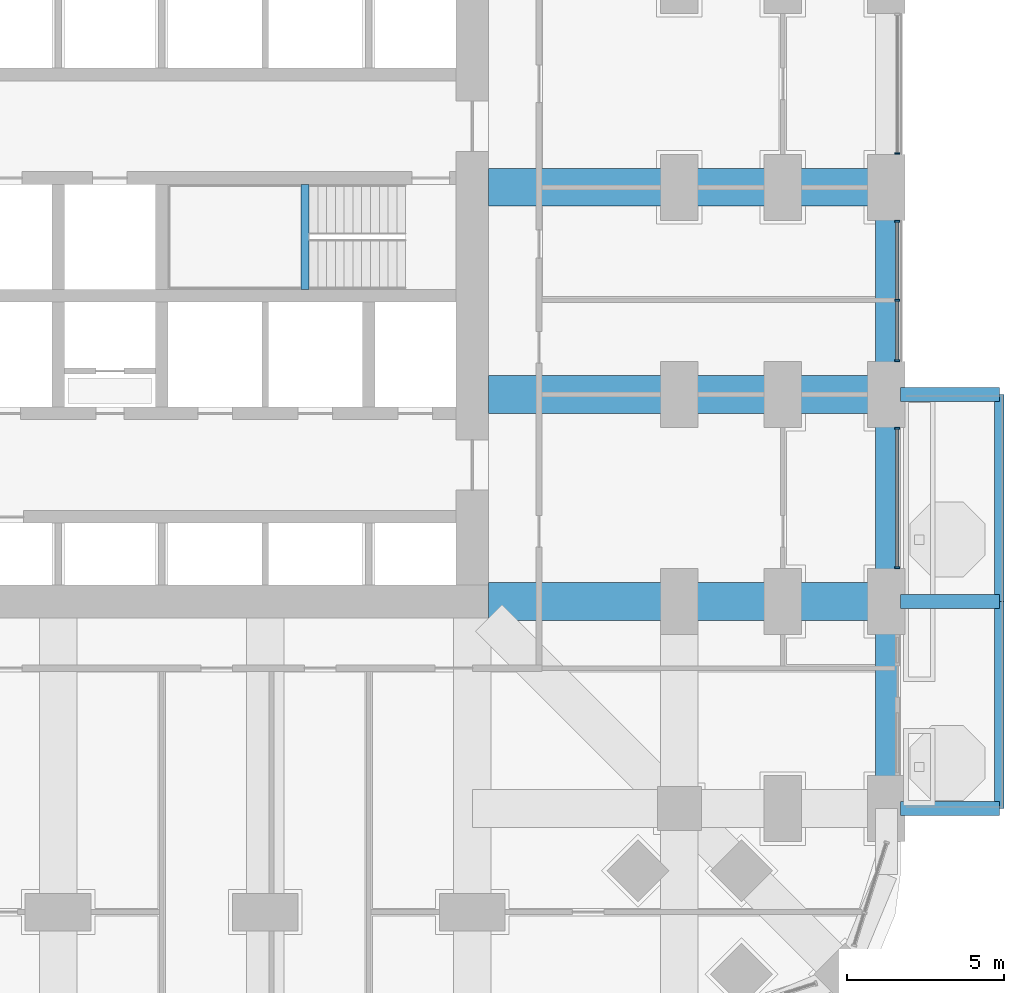
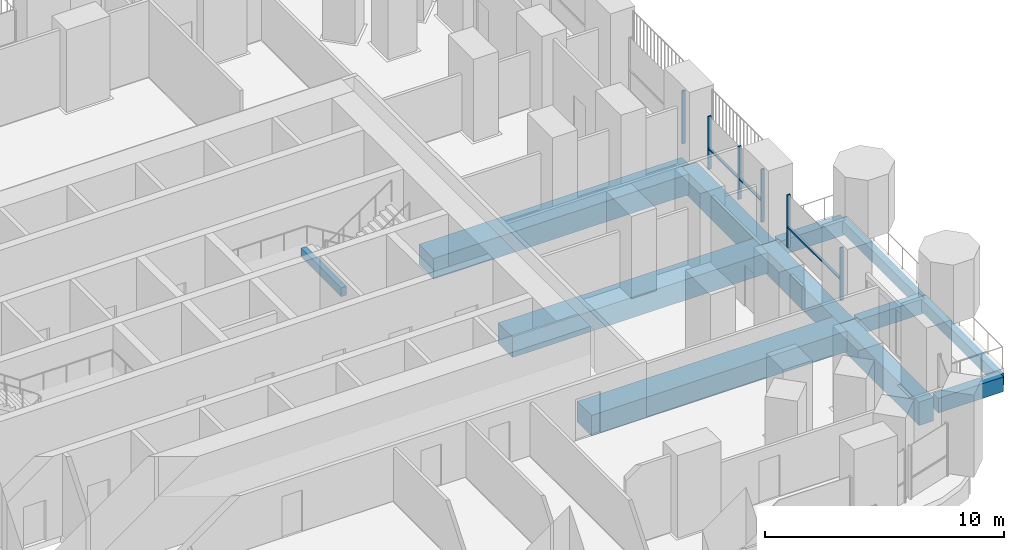
# One storey, part 6 of 27: 12 beams, 9 members, 3 elements without a shape of their own.
"""IFC4 building model written with IfcOpenShell, lengths in metres."""

from ifc_helpers import new_model, si_unit, direction, frame, origin, origin_2d, place, context, subcontext, project, spatial, rectangle, extrude, material, material_profile, profile_set, type_object, element, aggregate, save


model = new_model("IFC4")

# Units and contexts
model_context = context("Model", 3, precision=1e-05, world=origin(), true_north=direction((0.0, 1.0)))
body_context = subcontext(model_context, "Body", "Model", "MODEL_VIEW")
ifc_project = project(units=[si_unit("LENGTHUNIT", "METRE"), si_unit("AREAUNIT", "SQUARE_METRE"), si_unit("VOLUMEUNIT", "CUBIC_METRE"), si_unit("PLANEANGLEUNIT", "RADIAN"), si_unit("MASSUNIT", "GRAM", prefix="KILO")], contexts=[model_context])

# Site, building, storey
site_placement = place(None, origin())
site = spatial("IfcSite", under=ifc_project, at=site_placement, CompositionType="ELEMENT")
building_placement = place(site_placement, origin())
building = spatial("IfcBuilding", under=site, at=building_placement, Name="Cobogo Forest Laboratory Tower", CompositionType="ELEMENT")
storey_placement = place(building_placement, frame((0.0, 0.0, 46.5)))
storey = spatial("IfcBuildingStorey", under=building, at=storey_placement, Name="L10", CompositionType="ELEMENT", Elevation=46.5)

# Beams
ifc_material_1 = material(Name="Concrete HA-40 (C40/50)", Category="concrete")
ifc_material_profile_1 = material_profile(ifc_material_1, rectangle(XDim=0.449951171875, YDim=0.75, at=origin_2d()), Name="RC 450x750")
ifc_profile_set_1 = profile_set([ifc_material_profile_1], Name="Concrete HA-40 (C40/50)")
beam_type_1 = type_object("IfcBeamType", Name="Balcony cantilever beam 450x750", PredefinedType="BEAM", material=ifc_profile_set_1)
for number, where, z_axis, x_axis, name in (
    (1, (53.25, 6.60009765625, -0.625), (1.0, 0.0, 0.0), (0.0, 1.0, 0.0), "CB1 BAL-E1-C1 L10"),
    (2, (53.25, 13.199951171875, -0.625), (1.0, 0.0, 0.0), (0.0, 1.0, 0.0), "CB1 BAL-E1-C2 L10"),
    (3, (53.25, 19.800048828125, -0.625), (1.0, 0.0, 0.0), (0.0, 1.0, 0.0), "CB1 BAL-E1-C3 L10"),
):
    element("IfcBeam", number, at=place(storey_placement, frame(where, z_axis=z_axis, x_axis=x_axis)), inside=storey, type_object=beam_type_1, Name=name, PredefinedType="BEAM", context=body_context, shape_type="SweptSolid", body=[
        extrude(rectangle(XDim=0.449951171875, YDim=0.75, at=origin_2d()), origin(), (0.0, 0.0, 1.0), 3.14990234375),
    ])
ifc_material_profile_2 = material_profile(ifc_material_1, rectangle(XDim=0.300048828125, YDim=0.60009765625, at=origin_2d()), Name="RC 300x600")
ifc_profile_set_2 = profile_set([ifc_material_profile_2], Name="Concrete HA-40 (C40/50)")
beam_type_2 = type_object("IfcBeamType", Name="Balcony edge beam 300x600", PredefinedType="BEAM", material=ifc_profile_set_2)
beam_1_placement = place(storey_placement, frame((56.39990234375, 6.60009765625, -0.550048828125), z_axis=(0.0, 1.0, 0.0), x_axis=(-1.0, 0.0, 0.0)))
element("IfcBeam", 4, at=beam_1_placement, inside=storey, type_object=beam_type_2, Name="BB1 BAL-E1-T1 L10", PredefinedType="BEAM", context=body_context, shape_type="SweptSolid", body=[
    extrude(rectangle(XDim=0.300048828125, YDim=0.60009765625, at=origin_2d()), origin(), (0.0, 0.0, 1.0), 6.599853515625),
])
beam_2_placement = place(storey_placement, frame((56.39990234375, 13.199951171875, -0.550048828125), z_axis=(0.0, 1.0, 0.0), x_axis=(-1.0, 0.0, 0.0)))
element("IfcBeam", 5, at=beam_2_placement, inside=storey, type_object=beam_type_2, Name="BB1 BAL-E1-T2 L10", PredefinedType="BEAM", context=body_context, shape_type="SweptSolid", body=[
    extrude(rectangle(XDim=0.300048828125, YDim=0.60009765625, at=origin_2d()), origin(), (0.0, 0.0, 1.0), 6.60009765625),
])
ifc_material_profile_3 = material_profile(ifc_material_1, rectangle(XDim=0.25, YDim=0.449951171875, at=origin_2d()), Name="RC 250x450")
ifc_profile_set_3 = profile_set([ifc_material_profile_3], Name="Concrete HA-40 (C40/50)")
beam_type_3 = type_object("IfcBeamType", Name="LB1 landing beam 250x450", PredefinedType="BEAM", material=ifc_profile_set_3)
beam_3_placement = place(storey_placement, frame((34.27001953125, 23.14990234375, 1.675048828125), z_axis=(0.0, 1.0, 0.0), x_axis=(-1.0, 0.0, 0.0)))
element("IfcBeam", 6, at=beam_3_placement, inside=storey, type_object=beam_type_3, Name="Landing beam ST2 L10", PredefinedType="BEAM", context=body_context, shape_type="SweptSolid", body=[
    extrude(rectangle(XDim=0.25, YDim=0.449951171875, at=origin_2d()), origin(), (0.0, 0.0, 1.0), 3.35009765625),
])
ifc_material_profile_4 = material_profile(ifc_material_1, rectangle(XDim=1.199951171875, YDim=1.050048828125, at=origin_2d()), Name="RC 1200x1050")
ifc_profile_set_4 = profile_set([ifc_material_profile_4], Name="Concrete HA-40 (C40/50)")
beam_type_4 = type_object("IfcBeamType", Name="Laboratory floor wide beam 1200x1050", PredefinedType="BEAM", material=ifc_profile_set_4)
for number, where, z_axis, x_axis, name in (
    (7, (40.125, 13.199951171875, -0.824951171875), (1.0, 0.0, 0.0), (0.0, 1.0, 0.0), "RB1 R-C-E L10"),
    (8, (40.125, 19.800048828125, -0.824951171875), (1.0, 0.0, 0.0), (0.0, 1.0, 0.0), "RB1 R-D-E L10"),
    (9, (40.125, 26.39990234375, -0.824951171875), (1.0, 0.0, 0.0), (0.0, 1.0, 0.0), "RB1 R-E-E L10"),
):
    element("IfcBeam", number, at=place(storey_placement, frame(where, z_axis=z_axis, x_axis=x_axis)), inside=storey, type_object=beam_type_4, Name=name, PredefinedType="BEAM", context=body_context, shape_type="SweptSolid", body=[
        extrude(rectangle(XDim=1.199951171875, YDim=1.050048828125, at=origin_2d()), origin(), (0.0, 0.0, 1.0), 12.675048828125),
    ])

# Curtain wall, members
ifc_material_2 = material(Name="Aluminium curtain wall", Category="aluminium")
curtain_wall_type = type_object("IfcCurtainWallType", Name="CW-1 unitised curtain wall, clear glazing, laboratory floors zones A and B", PredefinedType="USERDEFINED", material=ifc_material_2)
curtain_wall_1_placement = place(storey_placement, origin())
curtain_wall_1 = element("IfcCurtainWall", 10, at=curtain_wall_1_placement, inside=storey, type_object=curtain_wall_type, Name="Curtain wall 11 L10", ObjectType="UNITISED CURTAIN WALL", PredefinedType="USERDEFINED")
ifc_material_3 = material(Name="Aluminium mullion", Category="aluminium")
ifc_material_profile_5 = material_profile(ifc_material_3, rectangle(XDim=0.06005859375, YDim=0.159912109375, at=origin_2d()), Name="AL 60x160")
ifc_profile_set_5 = profile_set([ifc_material_profile_5], Name="Aluminium mullion")
member_type_1 = type_object("IfcMemberType", Name="MU-1 aluminium mullion 60x160", PredefinedType="MULLION", material=ifc_profile_set_5)
member_1_placement = place(storey_placement, frame((53.14990234375, 14.280029296875, 0.0), z_axis=(0.0, 0.0, 1.0), x_axis=(0.0, 1.0, 0.0)))
member_1 = element("IfcMember", 11, at=member_1_placement, type_object=member_type_1, Name="CW-1 mullion 1", PredefinedType="MULLION", context=body_context, shape_type="SweptSolid", body=[
    extrude(rectangle(XDim=0.06005859375, YDim=0.159912109375, at=origin_2d()), origin(), (0.0, 0.0, 1.0), 2.699951171875),
])
member_2_placement = place(storey_placement, frame((53.14990234375, 18.719970703125, 0.0), z_axis=(0.0, 0.0, 1.0), x_axis=(0.0, 1.0, 0.0)))
member_2 = element("IfcMember", 12, at=member_2_placement, type_object=member_type_1, Name="CW-1 mullion 2", PredefinedType="MULLION", context=body_context, shape_type="SweptSolid", body=[
    extrude(rectangle(XDim=0.06005859375, YDim=0.159912109375, at=origin_2d()), origin(), (0.0, 0.0, 1.0), 2.699951171875),
])

curtain_wall_2_placement = place(storey_placement, origin())
curtain_wall_2 = element("IfcCurtainWall", 13, at=curtain_wall_2_placement, inside=storey, type_object=curtain_wall_type, Name="Curtain wall 12 L10", ObjectType="UNITISED CURTAIN WALL", PredefinedType="USERDEFINED")
member_3_placement = place(storey_placement, frame((53.14990234375, 20.8798828125, 0.0), z_axis=(0.0, 0.0, 1.0), x_axis=(0.0, 1.0, 0.0)))
member_3 = element("IfcMember", 14, at=member_3_placement, type_object=member_type_1, Name="CW-1 mullion 1", PredefinedType="MULLION", context=body_context, shape_type="SweptSolid", body=[
    extrude(rectangle(XDim=0.06005859375, YDim=0.159912109375, at=origin_2d()), origin(), (0.0, 0.0, 1.0), 2.699951171875),
])
member_4_placement = place(storey_placement, frame((53.14990234375, 22.800048828125, 0.0), z_axis=(0.0, 0.0, 1.0), x_axis=(0.0, 1.0, 0.0)))
member_4 = element("IfcMember", 15, at=member_4_placement, type_object=member_type_1, Name="CW-1 mullion 2", PredefinedType="MULLION", context=body_context, shape_type="SweptSolid", body=[
    extrude(rectangle(XDim=0.06005859375, YDim=0.159912109375, at=origin_2d()), origin(), (0.0, 0.0, 1.0), 2.699951171875),
])
member_5_placement = place(storey_placement, frame((53.14990234375, 25.320068359375, 0.0), z_axis=(0.0, 0.0, 1.0), x_axis=(0.0, 1.0, 0.0)))
member_5 = element("IfcMember", 16, at=member_5_placement, type_object=member_type_1, Name="CW-1 mullion 3", PredefinedType="MULLION", context=body_context, shape_type="SweptSolid", body=[
    extrude(rectangle(XDim=0.06005859375, YDim=0.159912109375, at=origin_2d()), origin(), (0.0, 0.0, 1.0), 2.699951171875),
])

# Curtain wall, member
curtain_wall_3_placement = place(storey_placement, origin())
curtain_wall_3 = element("IfcCurtainWall", 17, at=curtain_wall_3_placement, inside=storey, type_object=curtain_wall_type, Name="Curtain wall 13 L10", ObjectType="UNITISED CURTAIN WALL", PredefinedType="USERDEFINED")
member_6_placement = place(storey_placement, frame((53.14990234375, 27.47998046875, 0.0), z_axis=(0.0, 0.0, 1.0), x_axis=(0.0, 1.0, 0.0)))
member_6 = element("IfcMember", 18, at=member_6_placement, type_object=member_type_1, Name="CW-1 mullion 1", PredefinedType="MULLION", context=body_context, shape_type="SweptSolid", body=[
    extrude(rectangle(XDim=0.06005859375, YDim=0.159912109375, at=origin_2d()), origin(), (0.0, 0.0, 1.0), 2.699951171875),
])
aggregate(curtain_wall_3, [member_6])

# Beams
ifc_material_profile_6 = material_profile(ifc_material_1, rectangle(XDim=0.699951171875, YDim=1.199951171875, at=origin_2d()), Name="RC 700x1200")
ifc_profile_set_6 = profile_set([ifc_material_profile_6], Name="Concrete HA-40 (C40/50)")
beam_type_5 = type_object("IfcBeamType", Name="Perimeter edge beam 700x1200", PredefinedType="BEAM", material=ifc_profile_set_6)
beam_4_placement = place(storey_placement, frame((52.800048828125, 6.60009765625, -0.89990234375), z_axis=(0.0, 1.0, 0.0), x_axis=(-1.0, 0.0, 0.0)))
element("IfcBeam", 19, at=beam_4_placement, inside=storey, type_object=beam_type_5, Name="EB1 E-E1 L10", PredefinedType="BEAM", context=body_context, shape_type="SweptSolid", body=[
    extrude(rectangle(XDim=0.699951171875, YDim=1.199951171875, at=origin_2d()), origin(), (0.0, 0.0, 1.0), 6.599853515625),
])
beam_5_placement = place(storey_placement, frame((52.800048828125, 13.199951171875, -0.89990234375), z_axis=(0.0, 1.0, 0.0), x_axis=(-1.0, 0.0, 0.0)))
element("IfcBeam", 20, at=beam_5_placement, inside=storey, type_object=beam_type_5, Name="EB1 E-E2 L10", PredefinedType="BEAM", context=body_context, shape_type="SweptSolid", body=[
    extrude(rectangle(XDim=0.699951171875, YDim=1.199951171875, at=origin_2d()), origin(), (0.0, 0.0, 1.0), 6.60009765625),
])
beam_6_placement = place(storey_placement, frame((52.800048828125, 19.800048828125, -0.89990234375), z_axis=(0.0, 1.0, 0.0), x_axis=(-1.0, 0.0, 0.0)))
element("IfcBeam", 21, at=beam_6_placement, inside=storey, type_object=beam_type_5, Name="EB1 E-E3 L10", PredefinedType="BEAM", context=body_context, shape_type="SweptSolid", body=[
    extrude(rectangle(XDim=0.699951171875, YDim=1.199951171875, at=origin_2d()), origin(), (0.0, 0.0, 1.0), 6.599853515625),
])

# Member
ifc_material_4 = material(Name="Aluminium transom", Category="aluminium")
ifc_material_profile_7 = material_profile(ifc_material_4, rectangle(XDim=0.1201171875, YDim=0.06005859375, at=origin_2d()), Name="AL 60x120")
ifc_profile_set_7 = profile_set([ifc_material_profile_7], Name="Aluminium transom")
member_type_2 = type_object("IfcMemberType", Name="TR-1 aluminium transom 60x120", PredefinedType="USERDEFINED", material=ifc_profile_set_7)
member_7_placement = place(storey_placement, frame((53.14990234375, 14.31005859375, 1.050048828125), z_axis=(0.0, 1.0, 0.0), x_axis=(-1.0, 0.0, 0.0)))
member_7 = element("IfcMember", 22, at=member_7_placement, type_object=member_type_2, Name="CW-1 transom 1.1", ObjectType="TRANSOM", PredefinedType="USERDEFINED", context=body_context, shape_type="SweptSolid", body=[
    extrude(rectangle(XDim=0.1201171875, YDim=0.06005859375, at=origin_2d()), origin(), (0.0, 0.0, 1.0), 4.3798828125),
])

aggregate(curtain_wall_1, [member_1, member_2, member_7])

member_8_placement = place(storey_placement, frame((53.14990234375, 20.909912109375, 1.050048828125), z_axis=(0.0, 1.0, 0.0), x_axis=(-1.0, 0.0, 0.0)))
member_8 = element("IfcMember", 23, at=member_8_placement, type_object=member_type_2, Name="CW-1 transom 1.1", ObjectType="TRANSOM", PredefinedType="USERDEFINED", context=body_context, shape_type="SweptSolid", body=[
    extrude(rectangle(XDim=0.1201171875, YDim=0.06005859375, at=origin_2d()), origin(), (0.0, 0.0, 1.0), 1.860107421875),
])

member_9_placement = place(storey_placement, frame((53.14990234375, 22.830078125, 1.050048828125), z_axis=(0.0, 1.0, 0.0), x_axis=(-1.0, 0.0, 0.0)))
member_9 = element("IfcMember", 24, at=member_9_placement, type_object=member_type_2, Name="CW-1 transom 2.1", ObjectType="TRANSOM", PredefinedType="USERDEFINED", context=body_context, shape_type="SweptSolid", body=[
    extrude(rectangle(XDim=0.1201171875, YDim=0.06005859375, at=origin_2d()), origin(), (0.0, 0.0, 1.0), 2.4599609375),
])

aggregate(curtain_wall_2, [member_3, member_4, member_5, member_8, member_9])

save(model, "model.ifc")
